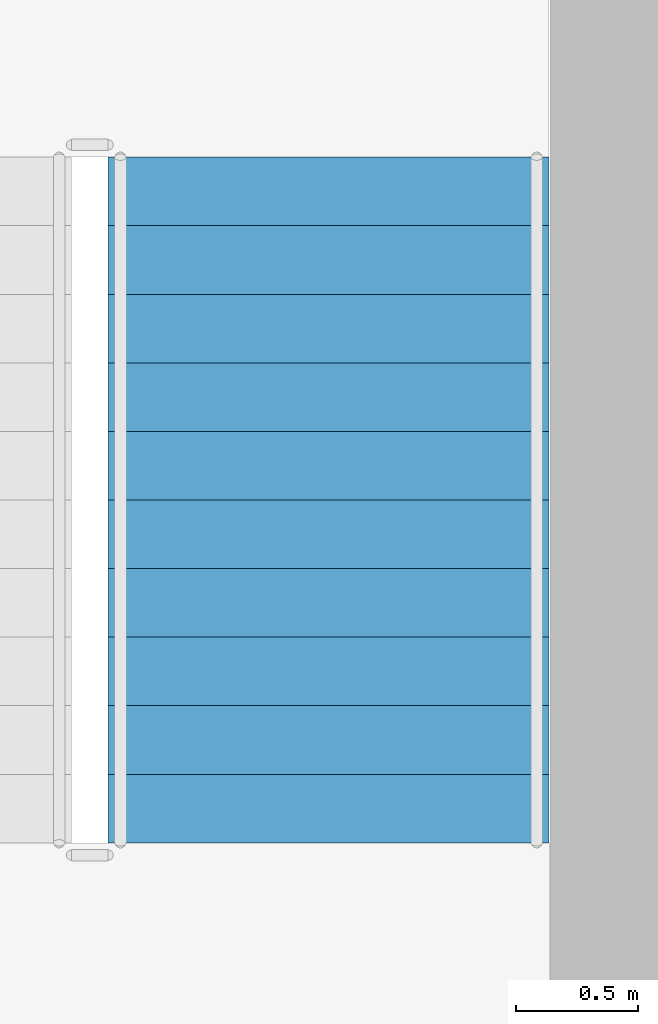
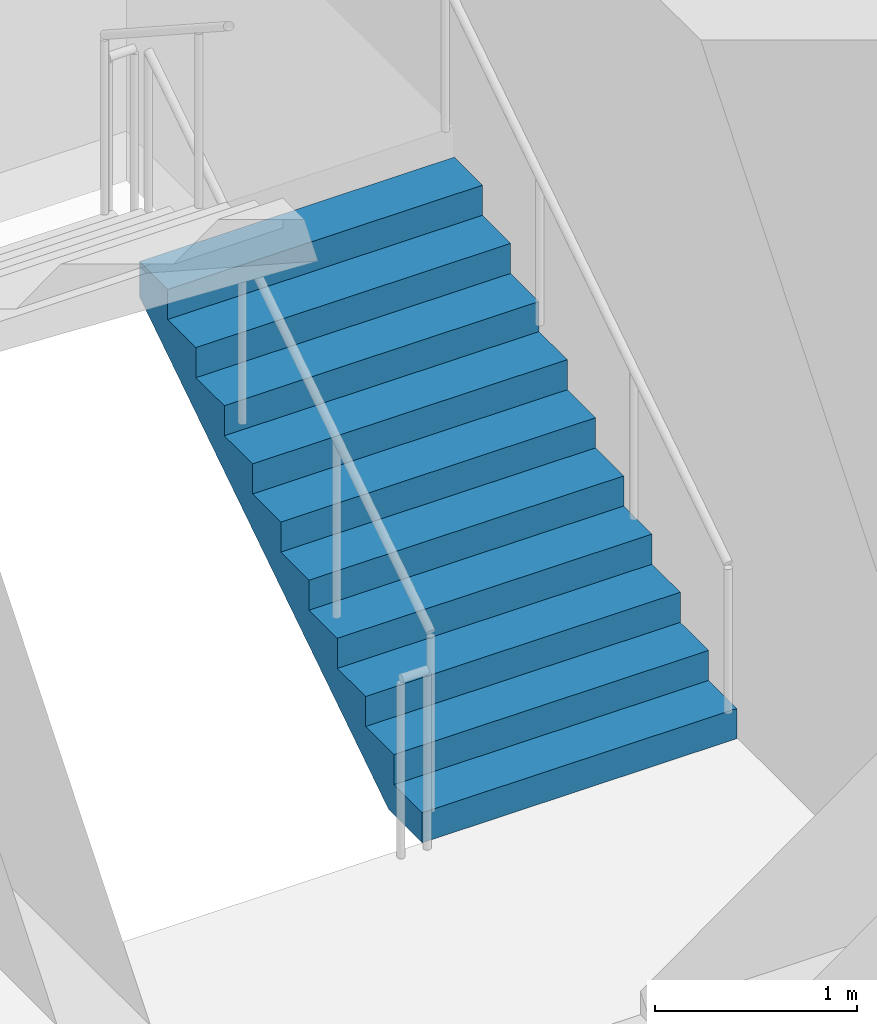
# One storey, part 6 of 8: 1 stair flight, 1 element without a shape of its own.
"""IFC4 building model written with IfcOpenShell, lengths in metres."""

import ifcopenshell
import ifcopenshell.guid

model = None  # the IFC model being written
_history = None  # IfcOwnerHistory: only IFC2X3 demands one
_inside = {}  # id of a spatial element -> (the spatial element, [elements in it])
_under = {}  # id of a project, library or spatial element -> (it, [spatial elements below it])
_declared = {}  # id of a project -> (the project, [libraries it declares])
_typed = {}  # id of a type object -> (the type object, [elements of that type])
_made_of = {}  # id of a material, layer set ... -> (it, [elements and type objects made of it])


def new_model(schema):
    """Start an empty IFC model of exactly this schema.

    Asked for "IFC4X3", IfcOpenShell would pick the latest addendum, in which some entities
    have other attributes; the version numbers below select the first issue.
    IFC2X3 requires an IfcOwnerHistory on every rooted entity: one is made here for all.
    """
    global model, _history
    if schema == "IFC4X3":
        model = ifcopenshell.file(schema_version=(4, 3, 0, 0))
    else:
        model = ifcopenshell.file(schema=schema)
    _inside.clear()
    _under.clear()
    _declared.clear()
    _typed.clear()
    _made_of.clear()
    _history = None
    if model.schema == "IFC2X3":
        org = make("IfcOrganization", Name="unknown")
        user = make(
            "IfcPersonAndOrganization",
            ThePerson=make("IfcPerson", FamilyName="unknown"),
            TheOrganization=org,
        )
        app = make(
            "IfcApplication",
            ApplicationDeveloper=org,
            Version="unknown",
            ApplicationFullName="unknown",
            ApplicationIdentifier="unknown",
        )
        _history = make(
            "IfcOwnerHistory",
            OwningUser=user,
            OwningApplication=app,
            ChangeAction="ADDED",
            CreationDate=0,
        )
    return model


def make(cls, **values):
    """One entity of the class cls with the attributes given. An attribute that is None is left unset."""
    return model.create_entity(
        cls, **{name: value for name, value in values.items() if value is not None}
    )


def rooted(cls, **values):
    """An entity with a GlobalId (a new one), such as an element, a storey or a relation."""
    return make(cls, GlobalId=ifcopenshell.guid.new(), OwnerHistory=_history, **values)


def si_unit(unit_type, name, prefix=None):
    """IfcSIUnit, for example si_unit("LENGTHUNIT", "METRE", prefix="MILLI")."""
    return make("IfcSIUnit", UnitType=unit_type, Prefix=prefix, Name=name)


def assignment(units):
    """IfcUnitAssignment: the units of a project."""
    return None if units is None else make("IfcUnitAssignment", Units=units)


def point(xyz):
    """IfcCartesianPoint."""
    return None if xyz is None else make("IfcCartesianPoint", Coordinates=xyz)


def direction(xyz):
    """IfcDirection."""
    return None if xyz is None else make("IfcDirection", DirectionRatios=xyz)


def frame(location, z_axis=None, x_axis=None):
    """IfcAxis2Placement3D, a coordinate frame: its origin and axes. An axis left out is left unset."""
    return make(
        "IfcAxis2Placement3D",
        Location=point(location),
        Axis=direction(z_axis),
        RefDirection=direction(x_axis),
    )


def origin():
    """The frame at (0, 0, 0) with its axes left unset."""
    return frame((0.0, 0.0, 0.0))


def place(relative_to, where):
    """IfcLocalPlacement: puts the frame where relative to a parent placement (None: the world)."""
    return make(
        "IfcLocalPlacement", PlacementRelTo=relative_to, RelativePlacement=where
    )


def context(
    kind, dimensions, precision=None, world=None, true_north=None, identifier=None
):
    """IfcGeometricRepresentationContext, for example the 3D "Model" context."""
    return make(
        "IfcGeometricRepresentationContext",
        ContextIdentifier=identifier,
        ContextType=kind,
        CoordinateSpaceDimension=dimensions,
        Precision=precision,
        WorldCoordinateSystem=world,
        TrueNorth=true_north,
    )


def subcontext(parent, identifier, kind, view, scale=None):
    """IfcGeometricRepresentationSubContext, for example "Body" below "Model"."""
    return make(
        "IfcGeometricRepresentationSubContext",
        ContextIdentifier=identifier,
        ContextType=kind,
        ParentContext=parent,
        TargetScale=scale,
        TargetView=view,
    )


def project(units=None, contexts=None):
    """IfcProject with its units and contexts."""
    return rooted(
        "IfcProject",
        Name="project",
        RepresentationContexts=contexts,
        UnitsInContext=assignment(units),
    )


def spatial(cls, under=None, at=None, **own):
    """A site, building, storey or space (cls), placed at a placement, below another one or the project."""
    s = rooted(cls, ObjectPlacement=at, **own)
    if under is not None:
        _under.setdefault(under.id(), (under, []))[1].append(s)
    return s


def polyline(points):
    """IfcPolyline through the points."""
    return make("IfcPolyline", Points=[point(p) for p in points])


def outline(outer, holes=None, kind="AREA"):
    """IfcArbitraryClosedProfileDef: a profile drawn as a closed curve; with holes, ...WithVoids."""
    if holes is None:
        return make("IfcArbitraryClosedProfileDef", ProfileType=kind, OuterCurve=outer)
    return make(
        "IfcArbitraryProfileDefWithVoids",
        ProfileType=kind,
        OuterCurve=outer,
        InnerCurves=holes,
    )


def extrude(swept, where, along, depth):
    """IfcExtrudedAreaSolid: the profile swept, set in the frame where, extruded along a direction by depth."""
    return make(
        "IfcExtrudedAreaSolid",
        SweptArea=swept,
        Position=where,
        ExtrudedDirection=direction(along),
        Depth=depth,
    )


def shape(context_of_items, identifier, shape_type, items):
    """IfcShapeRepresentation: the items that make up one representation, for example the "Body"."""
    return make(
        "IfcShapeRepresentation",
        ContextOfItems=context_of_items,
        RepresentationIdentifier=identifier,
        RepresentationType=shape_type,
        Items=items,
    )


def material(Name=None, Category=None):
    """IfcMaterial."""
    return make("IfcMaterial", Name=Name, Category=Category)


def made_of(thing, what):
    """Note that an element or type object is made of a material, layer set ...; save() writes the relation."""
    if what is not None:
        _made_of.setdefault(what.id(), (what, []))[1].append(thing)
    return thing


def type_object(cls, material=None, **own):
    """A type object (cls), such as IfcWallType, which elements share."""
    return made_of(rooted(cls, **own), material)


def element(
    cls,
    number,
    at=None,
    inside=None,
    cuts=None,
    type_object=None,
    material=None,
    context=None,
    identifier="Body",
    shape_type=None,
    held_by="IfcProductDefinitionShape",
    body=None,
    shapes=None,
    **own,
):
    """One element of the class cls, such as IfcWall. Its Tag is "e" and its number.

    at: its placement. inside: the storey or other place that contains it. cuts: it is an
    opening in that element (IfcRelVoidsElement). A single representation is given by context,
    identifier, shape_type and body (its items); several are given by shapes. held_by: the class
    of the entity that holds the representations. save() writes the other relations.
    """
    e = rooted(cls, Tag="e%d" % number, ObjectPlacement=at, **own)
    if body is not None:
        shapes = [shape(context, identifier, shape_type, body)]
    if shapes is not None:
        e.Representation = make(held_by, Representations=shapes)
    if inside is not None:
        _inside.setdefault(inside.id(), (inside, []))[1].append(e)
    if cuts is not None:
        rooted(
            "IfcRelVoidsElement", RelatingBuildingElement=cuts, RelatedOpeningElement=e
        )
    if type_object is not None:
        _typed.setdefault(type_object.id(), (type_object, []))[1].append(e)
    return made_of(e, material)


def aggregate(whole, parts):
    """IfcRelAggregates: a whole, such as a stair, and the parts it consists of."""
    return rooted("IfcRelAggregates", RelatingObject=whole, RelatedObjects=parts)


def save(model, path):
    """Write the relations noted so far, then the file.

    IfcRelAggregates (storeys below a building ...), IfcRelContainedInSpatialStructure (elements
    in a storey), IfcRelDefinesByType, IfcRelAssociatesMaterial and IfcRelDeclares: one each for
    every whole, place, type object, material and project.
    """
    for whole, parts in _under.values():
        aggregate(whole, parts)
    for where, things in _inside.values():
        rooted(
            "IfcRelContainedInSpatialStructure",
            RelatedElements=things,
            RelatingStructure=where,
        )
    for kind, things in _typed.values():
        rooted("IfcRelDefinesByType", RelatedObjects=things, RelatingType=kind)
    for what, things in _made_of.values():
        rooted("IfcRelAssociatesMaterial", RelatedObjects=things, RelatingMaterial=what)
    for by, libraries in _declared.values():
        rooted("IfcRelDeclares", RelatingContext=by, RelatedDefinitions=libraries)
    model.write(path)


model = new_model("IFC4")

# Units and contexts
model_context = context("Model", 3, precision=1e-05, world=origin(), true_north=direction((0.0, 1.0)))
body_context = subcontext(model_context, "Body", "Model", "MODEL_VIEW")
ifc_project = project(units=[si_unit("LENGTHUNIT", "METRE"), si_unit("AREAUNIT", "SQUARE_METRE"), si_unit("VOLUMEUNIT", "CUBIC_METRE"), si_unit("PLANEANGLEUNIT", "RADIAN"), si_unit("MASSUNIT", "GRAM", prefix="KILO")], contexts=[model_context])

# Site, building, storey
site_placement = place(None, origin())
site = spatial("IfcSite", under=ifc_project, at=site_placement, CompositionType="ELEMENT")
building_placement = place(site_placement, origin())
building = spatial("IfcBuilding", under=site, at=building_placement, Name="Sulina Concourse Tower", CompositionType="ELEMENT")
storey_placement = place(building_placement, frame((0.0, 0.0, 74.60009765625)))
storey = spatial("IfcBuildingStorey", under=building, at=storey_placement, Name="L18", CompositionType="ELEMENT", Elevation=74.60009765625)

# Stair, stair flight
ifc_material_1 = material(Name="Concrete C50/60", Category="concrete")
stair_type = type_object("IfcStairType", Name="Portal & Podium Core Exit Stair 1820mm", PredefinedType="HALF_TURN_STAIR", material=ifc_material_1)
stair_placement = place(storey_placement, origin())
stair = element("IfcStair", 1, at=stair_placement, inside=storey, type_object=stair_type, Name="L18 ST-4", PredefinedType="HALF_TURN_STAIR")
ifc_material_2 = material(Name="Concrete C50/60", Category="concrete")
stair_flight_type = type_object("IfcStairFlightType", Name="Portal & Podium Core Exit Stair 1820mm Flight", PredefinedType="STRAIGHT", material=ifc_material_2)
stair_flight_placement = place(storey_placement, frame((53.544921875, 36.375, 0.0), z_axis=(0.0, 0.0, 1.0), x_axis=(0.0, 1.0, 0.0)))
stair_flight = element("IfcStairFlight", 2, at=stair_flight_placement, type_object=stair_flight_type, Name="ST-4 flight 1", NumberOfRisers=11, NumberOfTreads=10, PredefinedType="STRAIGHT", RiserHeight=0.181818182, TreadLength=0.28, context=body_context, shape_type="SweptSolid", body=[
    extrude(outline(polyline([(0.0, 0.0), (0.0, 0.181884765625), (0.280029296875, 0.181884765625), (0.280029296875, 0.363525390625), (0.56005859375, 0.363525390625), (0.56005859375, 0.54541015625), (0.840087890625, 0.54541015625), (0.840087890625, 0.727294921875), (1.1201171875, 0.727294921875), (1.1201171875, 0.9091796875), (1.39990234375, 0.9091796875), (1.39990234375, 1.0908203125), (1.679931640625, 1.0908203125), (1.679931640625, 1.272705078125), (1.9599609375, 1.272705078125), (1.9599609375, 1.45458984375), (2.239990234375, 1.45458984375), (2.239990234375, 1.636474609375), (2.52001953125, 1.636474609375), (2.52001953125, 1.818115234375), (2.800048828125, 1.818115234375), (2.800048828125, 2.0), (2.800048828125, 1.603759765625), (0.330322265625, 0.0), (0.0, 0.0)])), frame((0.0, 0.89990234375, 0.0), z_axis=(0.0, -1.0, 0.0), x_axis=(1.0, 0.0, 0.0)), (0.0, 0.0, 1.0), 1.800048828125),
])
aggregate(stair, [stair_flight])

save(model, "model.ifc")
